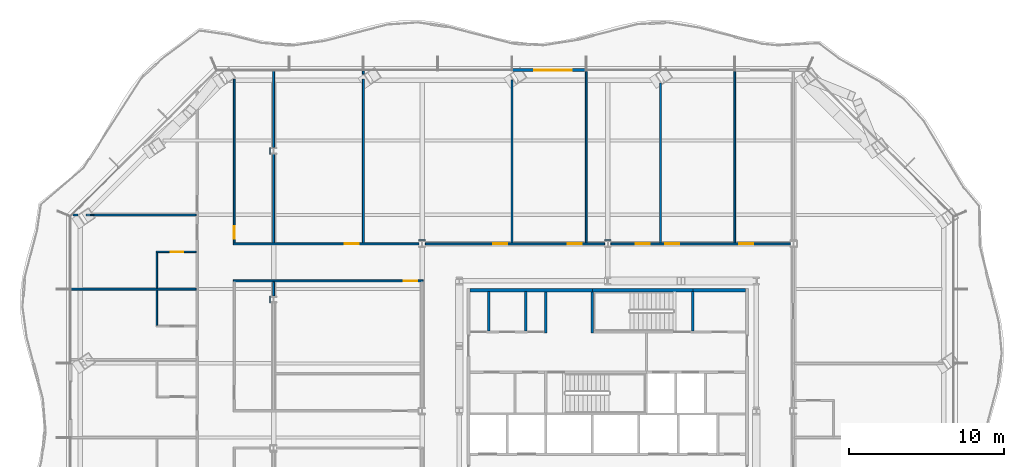
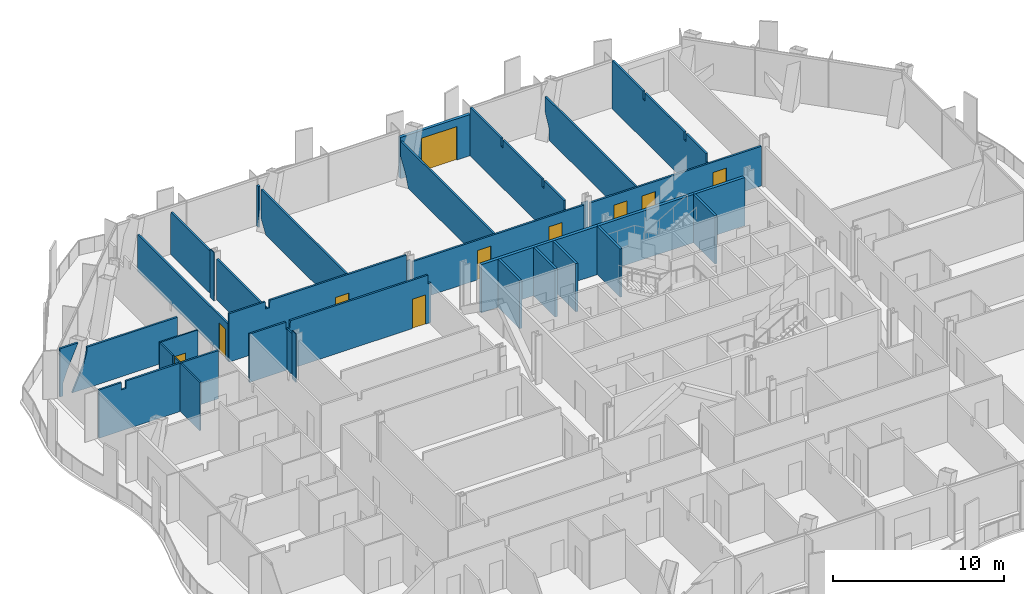
# One storey, part 11 of 17: 33 walls, 10 doors, 10 openings.
"""IFC4 building model written with IfcOpenShell, lengths in metres."""

from ifc_helpers import new_model, si_unit, direction, frame, frame_2d, origin, place, context, subcontext, project, spatial, polyline, rectangle, outline, extrude, material, layer, layer_set, type_object, element, fill, save


model = new_model("IFC4")

# Units and contexts
model_context = context("Model", 3, precision=1e-05, world=origin(), true_north=direction((0.0, 1.0)))
body_context = subcontext(model_context, "Body", "Model", "MODEL_VIEW")
ifc_project = project(units=[si_unit("LENGTHUNIT", "METRE"), si_unit("AREAUNIT", "SQUARE_METRE"), si_unit("VOLUMEUNIT", "CUBIC_METRE"), si_unit("PLANEANGLEUNIT", "RADIAN"), si_unit("MASSUNIT", "GRAM", prefix="KILO")], contexts=[model_context])

# Site, building, storey
site_placement = place(None, origin())
site = spatial("IfcSite", under=ifc_project, at=site_placement, CompositionType="ELEMENT")
building_placement = place(site_placement, origin())
building = spatial("IfcBuilding", under=site, at=building_placement, Name="Cairn Pilgrim Tower", CompositionType="ELEMENT")
storey_placement = place(building_placement, frame((0.0, 0.0, 94.199951171875)))
storey = spatial("IfcBuildingStorey", under=building, at=storey_placement, Name="L22", CompositionType="ELEMENT", Elevation=94.199951171875)

# Wall, opening, door
ifc_material_1 = material(Name="Bronze anodised aluminium insulated sandwich panel with mineral wool fill", Category="aluminium")
ifc_layer_1 = layer(ifc_material_1, 0.199951171875)
ifc_layer_set_1 = layer_set([ifc_layer_1], Name="BRONZE INFILL FRAME WALL 200")
wall_type_1 = type_object("IfcWallType", Name="BRONZE INFILL FRAME WALL 200", PredefinedType="NOTDEFINED", material=ifc_layer_set_1)
wall_1_placement = place(storey_placement, frame((5.7783203125, 24.42236328125, 0.0), z_axis=(0.0, 0.0, 1.0), x_axis=(-1.0, 0.0, 0.0)))
wall_1 = element("IfcWall", 1, at=wall_1_placement, inside=storey, type_object=wall_type_1, Name="Bronze infill frame wall IW-N4", PredefinedType="NOTDEFINED", context=body_context, shape_type="SweptSolid", body=[
    extrude(rectangle(XDim=4.739990234375, YDim=0.199951171875, at=frame_2d((2.3701171875, 0.0))), origin(), (0.0, 0.0, 1.0), 2.949951171875),
])
opening_1_placement = place(wall_1_placement, frame((0.92041015625, 0.0, 0.0)))
opening_1 = element("IfcOpeningElement", 2, at=opening_1_placement, cuts=wall_1, Name="Opening 2220B", PredefinedType="OPENING", context=body_context, shape_type="SweptSolid", body=[
    extrude(rectangle(XDim=2.39990234375, YDim=2.39990234375, at=frame_2d((1.199951171875, 1.199951171875))), frame((0.0, 0.10986328125, 0.0), z_axis=(0.0, -1.0, 0.0), x_axis=(1.0, 0.0, 0.0)), (0.0, 0.0, 1.0), 0.219970703125),
])
ifc_material_2 = material(Name="Bronze anodised aluminium frame with tinted low-E glass", Category="aluminium")
door_type_1 = type_object("IfcDoorType", Name="BALCONY SLIDING DOOR 2400x2400", OperationType="DOUBLE_DOOR_SLIDING", PredefinedType="DOOR", material=ifc_material_2)
door_1_placement = place(opening_1_placement, origin())
door_1 = element("IfcDoor", 3, at=door_1_placement, inside=storey, type_object=door_type_1, Name="Balcony sliding door 2220B", OperationType="SINGLE_SWING_LEFT", OverallHeight=2.39990234375, OverallWidth=2.39990234375, PredefinedType="DOOR", context=body_context, shape_type="SweptSolid", body=[
    extrude(rectangle(XDim=2.39990234375, YDim=2.39990234375, at=frame_2d((1.199951171875, 1.199951171875))), frame((0.0, 0.02490234375, 0.0), z_axis=(0.0, -1.0, 0.0), x_axis=(1.0, 0.0, 0.0)), (0.0, 0.0, 1.0), 0.050048828125),
])
fill(opening_1, door_1)

# Walls
ifc_material_3 = material(Name="Concrete C32/40", Category="concrete")
ifc_layer_2 = layer(ifc_material_3, 0.199951171875)
ifc_layer_set_2 = layer_set([ifc_layer_2], Name="CORE OUTER WALL 200 EI 120")
wall_type_2 = type_object("IfcWallType", Name="CORE OUTER WALL 200 EI 120", PredefinedType="SOLIDWALL", material=ifc_layer_set_2)
wall_2_placement = place(storey_placement, frame((-1.699951171875, 10.199951171875, 0.0), z_axis=(0.0, 0.0, 1.0), x_axis=(1.0, 0.0, 0.0)))
element("IfcWall", 4, at=wall_2_placement, inside=storey, type_object=wall_type_2, Name="CW:L22:H11-1", PredefinedType="SOLIDWALL", context=body_context, shape_type="SweptSolid", body=[
    extrude(rectangle(XDim=7.89990234375, YDim=0.199951171875, at=frame_2d((3.949951171875, 0.0))), origin(), (0.0, 0.0, 1.0), 3.449951171875),
])
wall_3_placement = place(storey_placement, frame((12.699951171875, 10.199951171875, 0.0), z_axis=(0.0, 0.0, 1.0), x_axis=(1.0, 0.0, 0.0)))
element("IfcWall", 5, at=wall_3_placement, inside=storey, type_object=wall_type_2, Name="CW:L22:H11-3", PredefinedType="SOLIDWALL", context=body_context, shape_type="SweptSolid", body=[
    extrude(rectangle(XDim=3.400146484375, YDim=0.199951171875, at=frame_2d((1.7001953125, 0.0))), origin(), (0.0, 0.0, 1.0), 3.449951171875),
])
ifc_layer_3 = layer(ifc_material_3, 0.14990234375)
ifc_layer_set_3 = layer_set([ifc_layer_3], Name="CORE PARTITION 150 EI 60")
wall_type_3 = type_object("IfcWallType", Name="CORE PARTITION 150 EI 60", PredefinedType="PARTITIONING", material=ifc_layer_set_3)
for number, where, z_axis, x_axis, name in (
    (6, (-0.5, 7.574951171875, 0.0), (0.0, 0.0, 1.0), (0.0, 1.0, 0.0), "CW:L22:V13"),
    (7, (1.89990234375, 7.574951171875, 0.0), (0.0, 0.0, 1.0), (0.0, 1.0, 0.0), "CW:L22:V17"),
):
    element("IfcWall", number, at=place(storey_placement, frame(where, z_axis=z_axis, x_axis=x_axis)), inside=storey, type_object=wall_type_3, Name=name, PredefinedType="PARTITIONING", context=body_context, shape_type="SweptSolid", body=[
        extrude(rectangle(XDim=2.525146484375, YDim=0.14990234375, at=frame_2d((1.2626953125, 0.0))), origin(), (0.0, 0.0, 1.0), 3.449951171875),
    ])
wall_4_placement = place(storey_placement, frame((3.199951171875, 7.425048828125, 0.0), z_axis=(0.0, 0.0, 1.0), x_axis=(0.0, 1.0, 0.0)))
element("IfcWall", 8, at=wall_4_placement, inside=storey, type_object=wall_type_3, Name="CW:L22:V21", PredefinedType="PARTITIONING", context=body_context, shape_type="SweptSolid", body=[
    extrude(rectangle(XDim=2.675048828125, YDim=0.14990234375, at=frame_2d((1.33740234375, 0.0))), origin(), (0.0, 0.0, 1.0), 3.449951171875),
])
ifc_material_4 = material(Name="Gypsum partition")
ifc_layer_4 = layer(ifc_material_4, 0.10009765625)
ifc_layer_set_4 = layer_set([ifc_layer_4], Name="PARTITION 100 DRYWALL")
wall_type_4 = type_object("IfcWallType", Name="PARTITION 100 DRYWALL", PredefinedType="PARTITIONING", material=ifc_layer_set_4)
wall_5_placement = place(storey_placement, frame((-21.94189453125, 7.922119140625, 0.0), z_axis=(0.0, 0.0, 1.0), x_axis=(0.0, 1.0, 0.0)))
element("IfcWall", 9, at=wall_5_placement, inside=storey, type_object=wall_type_4, Name="PARTITION W077", PredefinedType="PARTITIONING", context=body_context, shape_type="SweptSolid", body=[
    extrude(rectangle(XDim=2.287353515625, YDim=0.10009765625, at=frame_2d((1.1435546875, 0.0))), origin(), (0.0, 0.0, 1.0), 3.449951171875),
])
wall_6_placement = place(storey_placement, frame((-21.94189453125, 10.33447265625, 0.0), z_axis=(0.0, 0.0, 1.0), x_axis=(0.0, 1.0, 0.0)))
element("IfcWall", 10, at=wall_6_placement, inside=storey, type_object=wall_type_4, Name="PARTITION W080", PredefinedType="PARTITIONING", context=body_context, shape_type="SweptSolid", body=[
    extrude(outline(polyline([(0.0, 0.0), (2.28759765625, 0.0), (2.28759765625, 3.449951171875), (0.761962890625, 3.449951171875), (0.760009765625, 2.880126953125), (0.552001953125, 2.880126953125), (0.5498046875, 3.449951171875), (0.0, 3.449951171875), (0.0, 0.0)])), frame((0.0, 0.050048828125, 0.0), z_axis=(0.0, -1.0, 0.0), x_axis=(1.0, 0.0, 0.0)), (0.0, 0.0, 1.0), 0.10009765625),
])

# Wall, opening, door
wall_7_placement = place(storey_placement, frame((-21.991943359375, 12.672119140625, 0.0), z_axis=(0.0, 0.0, 1.0), x_axis=(1.0, 0.0, 0.0)))
wall_7 = element("IfcWall", 11, at=wall_7_placement, inside=storey, type_object=wall_type_4, Name="PARTITION W082", PredefinedType="PARTITIONING", context=body_context, shape_type="SweptSolid", body=[
    extrude(rectangle(XDim=2.58740234375, YDim=0.10009765625, at=frame_2d((1.293701171875, 0.0))), origin(), (0.0, 0.0, 1.0), 3.449951171875),
])
opening_2_placement = place(wall_7_placement, frame((0.949951171875, 0.0, 0.0)))
opening_2 = element("IfcOpeningElement", 12, at=opening_2_placement, cuts=wall_7, Name="Opening 2215E", PredefinedType="OPENING", context=body_context, shape_type="SweptSolid", body=[
    extrude(rectangle(XDim=0.800048828125, YDim=2.10009765625, at=frame_2d((0.39990234375, 1.050048828125))), frame((0.0, 0.06005859375, 0.0), z_axis=(0.0, -1.0, 0.0), x_axis=(1.0, 0.0, 0.0)), (0.0, 0.0, 1.0), 0.1201171875),
])
ifc_material_5 = material(Name="Timber door leaf", Category="wood")
door_type_2 = type_object("IfcDoorType", Name="DOOR 800x2100", OperationType="NOTDEFINED", PredefinedType="DOOR", material=ifc_material_5)
door_2_placement = place(opening_2_placement, frame((0.800048828125, 0.0, 0.0), z_axis=(0.0, 0.0, 1.0), x_axis=(-1.0, 0.0, 0.0)))
door_2 = element("IfcDoor", 13, at=door_2_placement, inside=storey, type_object=door_type_2, Name="DOOR 2215E", OperationType="SINGLE_SWING_LEFT", OverallHeight=2.10009765625, OverallWidth=0.800048828125, PredefinedType="DOOR", context=body_context, shape_type="SweptSolid", body=[
    extrude(rectangle(XDim=0.800048828125, YDim=2.10009765625, at=frame_2d((0.39990234375, 1.050048828125))), frame((0.0, 0.02490234375, 0.0), z_axis=(0.0, -1.0, 0.0), x_axis=(1.0, 0.0, 0.0)), (0.0, 0.0, 1.0), 0.050048828125),
])
fill(opening_2, door_2)

# Walls
ifc_layer_5 = layer(ifc_material_4, 0.125)
ifc_layer_set_5 = layer_set([ifc_layer_5], Name="PARTITION 125 DRYWALL EI 60")
wall_type_5 = type_object("IfcWallType", Name="PARTITION 125 DRYWALL EI 60", PredefinedType="PARTITIONING", material=ifc_layer_set_5)
wall_8_placement = place(storey_placement, frame((-14.39990234375, 9.8125, 0.0), z_axis=(0.0, 0.0, 1.0), x_axis=(0.0, 1.0, 0.0)))
element("IfcWall", 14, at=wall_8_placement, inside=storey, type_object=wall_type_5, Name="PARTITION W078", PredefinedType="PARTITIONING", context=body_context, shape_type="SweptSolid", body=[
    extrude(rectangle(XDim=0.925048828125, YDim=0.125, at=frame_2d((0.46240234375, 0.0))), origin(), (0.0, 0.0, 1.0), 2.929931640625),
])
wall_9_placement = place(storey_placement, frame((-27.481689453125, 10.27197265625, 0.0), z_axis=(0.0, 0.0, 1.0), x_axis=(1.0, 0.0, 0.0)))
element("IfcWall", 15, at=wall_9_placement, inside=storey, type_object=wall_type_5, Name="PARTITION W079", PredefinedType="PARTITIONING", context=body_context, shape_type="SweptSolid", body=[
    extrude(outline(polyline([(0.0, 0.0), (8.0771484375, 0.0), (8.0771484375, 3.449951171875), (1.818603515625, 3.449951171875), (1.816650390625, 2.929931640625), (1.518798828125, 2.929931640625), (1.5166015625, 3.449951171875), (0.0, 3.449951171875), (0.0, 0.0)])), frame((0.0, 0.0625, 0.0), z_axis=(0.0, -1.0, 0.0), x_axis=(1.0, 0.0, 0.0)), (0.0, 0.0, 1.0), 0.125),
])

# Wall, opening, door
wall_10_placement = place(storey_placement, frame((-17.00439453125, 10.800048828125, 0.0), z_axis=(0.0, 0.0, 1.0), x_axis=(1.0, 0.0, 0.0)))
wall_10 = element("IfcWall", 16, at=wall_10_placement, inside=storey, type_object=wall_type_5, Name="PARTITION W081", PredefinedType="PARTITIONING", context=body_context, shape_type="SweptSolid", body=[
    extrude(outline(polyline([(0.0, 0.0), (12.266845703125, 0.0), (12.26708984375, 2.830078125), (12.054443359375, 2.830078125), (12.052490234375, 3.449951171875), (2.75439453125, 3.449951171875), (2.75244140625, 2.929931640625), (2.45458984375, 2.929931640625), (2.452392578125, 3.449951171875), (0.0, 3.449951171875), (0.0, 0.0)])), frame((0.0, 0.0625, 0.0), z_axis=(0.0, -1.0, 0.0), x_axis=(1.0, 0.0, 0.0)), (0.0, 0.0, 1.0), 0.125),
])
opening_3_placement = place(wall_10_placement, frame((11.00439453125, 0.0, 0.0)))
opening_3 = element("IfcOpeningElement", 17, at=opening_3_placement, cuts=wall_10, Name="Opening 2233", PredefinedType="OPENING", context=body_context, shape_type="SweptSolid", body=[
    extrude(rectangle(XDim=0.89990234375, YDim=2.10009765625, at=frame_2d((0.449951171875, 1.050048828125))), frame((0.0, 0.072509765625, 0.0), z_axis=(0.0, -1.0, 0.0), x_axis=(1.0, 0.0, 0.0)), (0.0, 0.0, 1.0), 0.14501953125),
])
ifc_material_6 = material(Name="Steel-faced fire door leaf", Category="steel")
door_type_3 = type_object("IfcDoorType", Name="FIRE DOOR 900x2100 FD30S", OperationType="NOTDEFINED", PredefinedType="DOOR", material=ifc_material_6)
door_3_placement = place(opening_3_placement, frame((0.89990234375, 0.0, 0.0), z_axis=(0.0, 0.0, 1.0), x_axis=(-1.0, 0.0, 0.0)))
door_3 = element("IfcDoor", 18, at=door_3_placement, inside=storey, type_object=door_type_3, Name="DOOR 2233", OperationType="SINGLE_SWING_RIGHT", OverallHeight=2.10009765625, OverallWidth=0.89990234375, PredefinedType="DOOR", context=body_context, shape_type="SweptSolid", body=[
    extrude(rectangle(XDim=0.89990234375, YDim=2.10009765625, at=frame_2d((0.449951171875, 1.050048828125))), frame((0.0, 0.02490234375, 0.0), z_axis=(0.0, -1.0, 0.0), x_axis=(1.0, 0.0, 0.0)), (0.0, 0.0, 1.0), 0.050048828125),
])
fill(opening_3, door_3)

wall_11_placement = place(storey_placement, frame((-17.00439453125, 13.199951171875, 0.0), z_axis=(0.0, 0.0, 1.0), x_axis=(1.0, 0.0, 0.0)))
wall_11 = element("IfcWall", 19, at=wall_11_placement, inside=storey, type_object=wall_type_5, Name="PARTITION W083", PredefinedType="PARTITIONING", context=body_context, shape_type="SweptSolid", body=[
    extrude(outline(polyline([(0.0, 0.0), (12.0, 0.0), (12.0, 3.449951171875), (2.75439453125, 3.449951171875), (2.75244140625, 2.929931640625), (2.45458984375, 2.929931640625), (2.452392578125, 3.449951171875), (0.0, 3.449951171875), (0.0, 0.0)])), frame((0.0, 0.0625, 0.0), z_axis=(0.0, -1.0, 0.0), x_axis=(1.0, 0.0, 0.0)), (0.0, 0.0, 1.0), 0.125),
])
opening_4_placement = place(wall_11_placement, frame((7.20458984375, 0.0, 0.0)))
opening_4 = element("IfcOpeningElement", 20, at=opening_4_placement, cuts=wall_11, Name="Opening 2218", PredefinedType="OPENING", context=body_context, shape_type="SweptSolid", body=[
    extrude(rectangle(XDim=0.89990234375, YDim=2.10009765625, at=frame_2d((0.449951171875, 1.050048828125))), frame((0.0, 0.072509765625, 0.0), z_axis=(0.0, -1.0, 0.0), x_axis=(1.0, 0.0, 0.0)), (0.0, 0.0, 1.0), 0.14501953125),
])
door_4_placement = place(opening_4_placement, origin())
door_4 = element("IfcDoor", 21, at=door_4_placement, inside=storey, type_object=door_type_3, Name="DOOR 2218", OperationType="SINGLE_SWING_RIGHT", OverallHeight=2.10009765625, OverallWidth=0.89990234375, PredefinedType="DOOR", context=body_context, shape_type="SweptSolid", body=[
    extrude(rectangle(XDim=0.89990234375, YDim=2.10009765625, at=frame_2d((0.449951171875, 1.050048828125))), frame((0.0, 0.02490234375, 0.0), z_axis=(0.0, -1.0, 0.0), x_axis=(1.0, 0.0, 0.0)), (0.0, 0.0, 1.0), 0.050048828125),
])
fill(opening_4, door_4)

# Wall, openings, doors
wall_12_placement = place(storey_placement, frame((-4.595458984375, 13.199951171875, 0.0), z_axis=(0.0, 0.0, 1.0), x_axis=(1.0, 0.0, 0.0)))
wall_12 = element("IfcWall", 22, at=wall_12_placement, inside=storey, type_object=wall_type_5, Name="PARTITION W084", PredefinedType="PARTITIONING", context=body_context, shape_type="SweptSolid", body=[
    extrude(rectangle(XDim=11.591064453125, YDim=0.125, at=frame_2d((5.79541015625, 0.0))), origin(), (0.0, 0.0, 1.0), 2.830078125),
])
opening_5_placement = place(wall_12_placement, frame((4.3955078125, 0.0, 0.0)))
opening_5 = element("IfcOpeningElement", 23, at=opening_5_placement, cuts=wall_12, Name="Opening 2219", PredefinedType="OPENING", context=body_context, shape_type="SweptSolid", body=[
    extrude(rectangle(XDim=0.89990234375, YDim=2.10009765625, at=frame_2d((0.449951171875, 1.050048828125))), frame((0.0, 0.072509765625, 0.0), z_axis=(0.0, -1.0, 0.0), x_axis=(1.0, 0.0, 0.0)), (0.0, 0.0, 1.0), 0.14501953125),
])
opening_6_placement = place(wall_12_placement, frame((9.20361328125, 0.0, 0.0)))
opening_6 = element("IfcOpeningElement", 24, at=opening_6_placement, cuts=wall_12, Name="Opening 2220", PredefinedType="OPENING", context=body_context, shape_type="SweptSolid", body=[
    extrude(rectangle(XDim=0.89990234375, YDim=2.10009765625, at=frame_2d((0.449951171875, 1.050048828125))), frame((0.0, 0.072509765625, 0.0), z_axis=(0.0, -1.0, 0.0), x_axis=(1.0, 0.0, 0.0)), (0.0, 0.0, 1.0), 0.14501953125),
])
door_5_placement = place(opening_5_placement, origin())
door_5 = element("IfcDoor", 25, at=door_5_placement, inside=storey, type_object=door_type_3, Name="DOOR 2219", OperationType="SINGLE_SWING_LEFT", OverallHeight=2.10009765625, OverallWidth=0.89990234375, PredefinedType="DOOR", context=body_context, shape_type="SweptSolid", body=[
    extrude(rectangle(XDim=0.89990234375, YDim=2.10009765625, at=frame_2d((0.449951171875, 1.050048828125))), frame((0.0, 0.02490234375, 0.0), z_axis=(0.0, -1.0, 0.0), x_axis=(1.0, 0.0, 0.0)), (0.0, 0.0, 1.0), 0.050048828125),
])
fill(opening_5, door_5)
door_6_placement = place(opening_6_placement, origin())
door_6 = element("IfcDoor", 26, at=door_6_placement, inside=storey, type_object=door_type_3, Name="DOOR 2220", OperationType="SINGLE_SWING_RIGHT", OverallHeight=2.10009765625, OverallWidth=0.89990234375, PredefinedType="DOOR", context=body_context, shape_type="SweptSolid", body=[
    extrude(rectangle(XDim=0.89990234375, YDim=2.10009765625, at=frame_2d((0.449951171875, 1.050048828125))), frame((0.0, 0.02490234375, 0.0), z_axis=(0.0, -1.0, 0.0), x_axis=(1.0, 0.0, 0.0)), (0.0, 0.0, 1.0), 0.050048828125),
])
fill(opening_6, door_6)

wall_13_placement = place(storey_placement, frame((7.404541015625, 13.199951171875, 0.0), z_axis=(0.0, 0.0, 1.0), x_axis=(1.0, 0.0, 0.0)))
wall_13 = element("IfcWall", 27, at=wall_13_placement, inside=storey, type_object=wall_type_5, Name="PARTITION W085", PredefinedType="PARTITIONING", context=body_context, shape_type="SweptSolid", body=[
    extrude(rectangle(XDim=11.591064453125, YDim=0.125, at=frame_2d((5.79541015625, 0.0))), origin(), (0.0, 0.0, 1.0), 2.830078125),
])
opening_7_placement = place(wall_13_placement, frame((1.603515625, 0.0, 0.0)))
opening_7 = element("IfcOpeningElement", 28, at=opening_7_placement, cuts=wall_13, Name="Opening 2221", PredefinedType="OPENING", context=body_context, shape_type="SweptSolid", body=[
    extrude(rectangle(XDim=0.89990234375, YDim=2.10009765625, at=frame_2d((0.449951171875, 1.050048828125))), frame((0.0, 0.072509765625, 0.0), z_axis=(0.0, -1.0, 0.0), x_axis=(1.0, 0.0, 0.0)), (0.0, 0.0, 1.0), 0.14501953125),
])
opening_8_placement = place(wall_13_placement, frame((3.50341796875, 0.0, 0.0)))
opening_8 = element("IfcOpeningElement", 29, at=opening_8_placement, cuts=wall_13, Name="Opening 2222", PredefinedType="OPENING", context=body_context, shape_type="SweptSolid", body=[
    extrude(rectangle(XDim=0.89990234375, YDim=2.10009765625, at=frame_2d((0.449951171875, 1.050048828125))), frame((0.0, 0.072509765625, 0.0), z_axis=(0.0, -1.0, 0.0), x_axis=(1.0, 0.0, 0.0)), (0.0, 0.0, 1.0), 0.14501953125),
])
opening_9_placement = place(wall_13_placement, frame((8.303466796875, 0.0, 0.0)))
opening_9 = element("IfcOpeningElement", 30, at=opening_9_placement, cuts=wall_13, Name="Opening 2223", PredefinedType="OPENING", context=body_context, shape_type="SweptSolid", body=[
    extrude(rectangle(XDim=0.89990234375, YDim=2.10009765625, at=frame_2d((0.449951171875, 1.050048828125))), frame((0.0, 0.072509765625, 0.0), z_axis=(0.0, -1.0, 0.0), x_axis=(1.0, 0.0, 0.0)), (0.0, 0.0, 1.0), 0.14501953125),
])
door_7_placement = place(opening_7_placement, origin())
door_7 = element("IfcDoor", 31, at=door_7_placement, inside=storey, type_object=door_type_3, Name="DOOR 2221", OperationType="SINGLE_SWING_LEFT", OverallHeight=2.10009765625, OverallWidth=0.89990234375, PredefinedType="DOOR", context=body_context, shape_type="SweptSolid", body=[
    extrude(rectangle(XDim=0.89990234375, YDim=2.10009765625, at=frame_2d((0.449951171875, 1.050048828125))), frame((0.0, 0.02490234375, 0.0), z_axis=(0.0, -1.0, 0.0), x_axis=(1.0, 0.0, 0.0)), (0.0, 0.0, 1.0), 0.050048828125),
])
fill(opening_7, door_7)
door_8_placement = place(opening_8_placement, origin())
door_8 = element("IfcDoor", 32, at=door_8_placement, inside=storey, type_object=door_type_3, Name="DOOR 2222", OperationType="SINGLE_SWING_RIGHT", OverallHeight=2.10009765625, OverallWidth=0.89990234375, PredefinedType="DOOR", context=body_context, shape_type="SweptSolid", body=[
    extrude(rectangle(XDim=0.89990234375, YDim=2.10009765625, at=frame_2d((0.449951171875, 1.050048828125))), frame((0.0, 0.02490234375, 0.0), z_axis=(0.0, -1.0, 0.0), x_axis=(1.0, 0.0, 0.0)), (0.0, 0.0, 1.0), 0.050048828125),
])
fill(opening_8, door_8)
door_9_placement = place(opening_9_placement, origin())
door_9 = element("IfcDoor", 33, at=door_9_placement, inside=storey, type_object=door_type_3, Name="DOOR 2223", OperationType="SINGLE_SWING_LEFT", OverallHeight=2.10009765625, OverallWidth=0.89990234375, PredefinedType="DOOR", context=body_context, shape_type="SweptSolid", body=[
    extrude(rectangle(XDim=0.89990234375, YDim=2.10009765625, at=frame_2d((0.449951171875, 1.050048828125))), frame((0.0, 0.02490234375, 0.0), z_axis=(0.0, -1.0, 0.0), x_axis=(1.0, 0.0, 0.0)), (0.0, 0.0, 1.0), 0.050048828125),
])
fill(opening_9, door_9)

# Wall, opening, door
wall_14_placement = place(storey_placement, frame((-16.94189453125, 13.262451171875, 0.0), z_axis=(0.0, 0.0, 1.0), x_axis=(0.0, 1.0, 0.0)))
wall_14 = element("IfcWall", 34, at=wall_14_placement, inside=storey, type_object=wall_type_5, Name="PARTITION W086", PredefinedType="PARTITIONING", context=body_context, shape_type="SweptSolid", body=[
    extrude(outline(polyline([(0.0, 0.0), (10.572021484375, 0.0), (10.572021484375, 0.862548828125), (10.572021484375, 1.72509765625), (10.572021484375, 2.587646484375), (10.576904296875, 2.630126953125), (0.0, 2.630126953125), (0.0, 2.587646484375), (0.0, 1.72509765625), (0.0, 0.862548828125), (0.0, 0.0)])), frame((0.0, 0.0625, 0.0), z_axis=(0.0, -1.0, 0.0), x_axis=(1.0, 0.0, 0.0)), (0.0, 0.0, 1.0), 0.125),
])
opening_10_placement = place(wall_14_placement, frame((0.259521484375, 0.0, 0.0)))
opening_10 = element("IfcOpeningElement", 35, at=opening_10_placement, cuts=wall_14, Name="Opening 2217", PredefinedType="OPENING", context=body_context, shape_type="SweptSolid", body=[
    extrude(rectangle(XDim=0.800048828125, YDim=2.10009765625, at=frame_2d((0.39990234375, 1.050048828125))), frame((0.0, 0.072509765625, 0.0), z_axis=(0.0, -1.0, 0.0), x_axis=(1.0, 0.0, 0.0)), (0.0, 0.0, 1.0), 0.14501953125),
])
door_type_4 = type_object("IfcDoorType", Name="FIRE DOOR 800x2100 FD30S", OperationType="NOTDEFINED", PredefinedType="DOOR", material=ifc_material_6)
door_10_placement = place(opening_10_placement, frame((0.800048828125, 0.0, 0.0), z_axis=(0.0, 0.0, 1.0), x_axis=(-1.0, 0.0, 0.0)))
door_10 = element("IfcDoor", 36, at=door_10_placement, inside=storey, type_object=door_type_4, Name="DOOR 2217", OperationType="SINGLE_SWING_LEFT", OverallHeight=2.10009765625, OverallWidth=0.800048828125, PredefinedType="DOOR", context=body_context, shape_type="SweptSolid", body=[
    extrude(rectangle(XDim=0.800048828125, YDim=2.10009765625, at=frame_2d((0.39990234375, 1.050048828125))), frame((0.0, 0.02490234375, 0.0), z_axis=(0.0, -1.0, 0.0), x_axis=(1.0, 0.0, 0.0)), (0.0, 0.0, 1.0), 0.050048828125),
])
fill(opening_10, door_10)

# Walls
wall_15_placement = place(storey_placement, frame((-14.39990234375, 13.262451171875, 0.0), z_axis=(0.0, 0.0, 1.0), x_axis=(0.0, 1.0, 0.0)))
element("IfcWall", 37, at=wall_15_placement, inside=storey, type_object=wall_type_5, Name="PARTITION W087", PredefinedType="PARTITIONING", context=body_context, shape_type="SweptSolid", body=[
    extrude(rectangle(XDim=5.72509765625, YDim=0.125, at=frame_2d((2.862548828125, 0.0))), origin(), (0.0, 0.0, 1.0), 2.929931640625),
])
wall_16_placement = place(storey_placement, frame((-8.592041015625, 13.262451171875, 0.0), z_axis=(0.0, 0.0, 1.0), x_axis=(0.0, 1.0, 0.0)))
element("IfcWall", 38, at=wall_16_placement, inside=storey, type_object=wall_type_5, Name="PARTITION W088", PredefinedType="PARTITIONING", context=body_context, shape_type="SweptSolid", body=[
    extrude(outline(polyline([(0.0, 0.0), (10.027099609375, 0.0), (10.587158203125, 0.862548828125), (10.587158203125, 1.72509765625), (10.587158203125, 2.587646484375), (10.587158203125, 2.929931640625), (0.0, 2.929931640625), (0.0, 2.587646484375), (0.0, 1.72509765625), (0.0, 0.862548828125), (0.0, 0.0)])), frame((0.0, 0.0625, 0.0), z_axis=(0.0, -1.0, 0.0), x_axis=(1.0, 0.0, 0.0)), (0.0, 0.0, 1.0), 0.125),
])
wall_17_placement = place(storey_placement, frame((1.008056640625, 13.262451171875, 0.0), z_axis=(0.0, 0.0, 1.0), x_axis=(0.0, 1.0, 0.0)))
element("IfcWall", 39, at=wall_17_placement, inside=storey, type_object=wall_type_5, Name="PARTITION W089", PredefinedType="PARTITIONING", context=body_context, shape_type="SweptSolid", body=[
    extrude(outline(polyline([(0.0, 0.0), (9.9873046875, 0.0), (10.3076171875, 0.862548828125), (10.867431640625, 1.72509765625), (10.867431640625, 2.587646484375), (10.867431640625, 2.830078125), (0.0, 2.830078125), (0.0, 2.587646484375), (0.0, 1.72509765625), (0.0, 0.862548828125), (0.0, 0.0)])), frame((0.0, 0.0625, 0.0), z_axis=(0.0, -1.0, 0.0), x_axis=(1.0, 0.0, 0.0)), (0.0, 0.0, 1.0), 0.125),
])
wall_18_placement = place(storey_placement, frame((5.80810546875, 13.262451171875, 0.0), z_axis=(0.0, 0.0, 1.0), x_axis=(0.0, 1.0, 0.0)))
element("IfcWall", 40, at=wall_18_placement, inside=storey, type_object=wall_type_5, Name="PARTITION W090", PredefinedType="PARTITIONING", context=body_context, shape_type="SweptSolid", body=[
    extrude(outline(polyline([(0.0, 0.0), (11.059814453125, 0.0), (11.059814453125, 3.449951171875), (7.433837890625, 3.449951171875), (7.431884765625, 2.880126953125), (7.223876953125, 2.880126953125), (7.221923828125, 3.449951171875), (2.6337890625, 3.449951171875), (2.6318359375, 2.880126953125), (2.423828125, 2.880126953125), (2.421875, 3.449951171875), (0.08740234375, 3.449951171875), (0.08544921875, 2.830078125), (0.0, 2.830078125), (0.0, 0.0)])), frame((0.0, 0.0625, 0.0), z_axis=(0.0, -1.0, 0.0), x_axis=(1.0, 0.0, 0.0)), (0.0, 0.0, 1.0), 0.125),
])
wall_19_placement = place(storey_placement, frame((10.60791015625, 13.262451171875, 0.0), z_axis=(0.0, 0.0, 1.0), x_axis=(0.0, 1.0, 0.0)))
element("IfcWall", 41, at=wall_19_placement, inside=storey, type_object=wall_type_5, Name="PARTITION W091", PredefinedType="PARTITIONING", context=body_context, shape_type="SweptSolid", body=[
    extrude(outline(polyline([(0.0, 0.0), (10.111328125, 0.0), (10.143310546875, 0.862548828125), (10.587890625, 1.72509765625), (10.587890625, 2.587646484375), (10.587890625, 2.830078125), (0.0, 2.830078125), (0.0, 2.587646484375), (0.0, 1.72509765625), (0.0, 0.862548828125), (0.0, 0.0)])), frame((0.0, 0.0625, 0.0), z_axis=(0.0, -1.0, 0.0), x_axis=(1.0, 0.0, 0.0)), (0.0, 0.0, 1.0), 0.125),
])
wall_20_placement = place(storey_placement, frame((15.407958984375, 13.262451171875, 0.0), z_axis=(0.0, 0.0, 1.0), x_axis=(0.0, 1.0, 0.0)))
element("IfcWall", 42, at=wall_20_placement, inside=storey, type_object=wall_type_5, Name="PARTITION W092", PredefinedType="PARTITIONING", context=body_context, shape_type="SweptSolid", body=[
    extrude(outline(polyline([(0.0, 0.0), (11.059814453125, 0.0), (11.059814453125, 3.449951171875), (7.433837890625, 3.449951171875), (7.431884765625, 2.880126953125), (7.223876953125, 2.880126953125), (7.221923828125, 3.449951171875), (2.6337890625, 3.449951171875), (2.6318359375, 2.880126953125), (2.423828125, 2.880126953125), (2.421875, 3.449951171875), (0.08740234375, 3.449951171875), (0.08544921875, 2.830078125), (0.0, 2.830078125), (0.0, 0.0)])), frame((0.0, 0.0625, 0.0), z_axis=(0.0, -1.0, 0.0), x_axis=(1.0, 0.0, 0.0)), (0.0, 0.0, 1.0), 0.125),
])
wall_21_placement = place(storey_placement, frame((-27.36181640625, 15.05908203125, 0.0), z_axis=(0.0, 0.0, 1.0), x_axis=(1.0, 0.0, 0.0)))
element("IfcWall", 43, at=wall_21_placement, inside=storey, type_object=wall_type_5, Name="PARTITION W094", PredefinedType="PARTITIONING", context=body_context, shape_type="SweptSolid", body=[
    extrude(outline(polyline([(0.0, 0.0), (0.194580078125, 0.0), (0.197998046875, 0.862548828125), (0.489501953125, 1.72509765625), (0.86279296875, 2.587646484375), (1.236083984375, 3.449951171875), (0.0, 3.449951171875), (0.0, 2.587646484375), (0.0, 1.72509765625), (0.0, 0.862548828125), (0.0, 0.0)])), frame((0.0, 0.0625, 0.0), z_axis=(0.0, -1.0, 0.0), x_axis=(1.0, 0.0, 0.0)), (0.0, 0.0, 1.0), 0.125),
])
wall_22_placement = place(storey_placement, frame((-26.513671875, 15.05908203125, 0.0), z_axis=(0.0, 0.0, 1.0), x_axis=(1.0, 0.0, 0.0)))
element("IfcWall", 44, at=wall_22_placement, inside=storey, type_object=wall_type_5, Name="PARTITION W095", PredefinedType="PARTITIONING", context=body_context, shape_type="SweptSolid", body=[
    extrude(outline(polyline([(0.0, 0.0), (7.109130859375, 0.0), (7.109130859375, 0.862548828125), (7.109130859375, 1.72509765625), (7.109130859375, 2.587646484375), (7.109130859375, 2.929931640625), (0.976318359375, 2.929931640625), (0.976318359375, 2.587646484375), (0.74658203125, 1.72509765625), (0.373291015625, 0.862548828125), (0.0, 0.0)])), frame((0.0, 0.0625, 0.0), z_axis=(0.0, -1.0, 0.0), x_axis=(1.0, 0.0, 0.0)), (0.0, 0.0, 1.0), 0.125),
])
wall_23_placement = place(storey_placement, frame((-14.39990234375, 19.41259765625, 0.0), z_axis=(0.0, 0.0, 1.0), x_axis=(0.0, 1.0, 0.0)))
element("IfcWall", 45, at=wall_23_placement, inside=storey, type_object=wall_type_5, Name="PARTITION W096", PredefinedType="PARTITIONING", context=body_context, shape_type="SweptSolid", body=[
    extrude(outline(polyline([(0.0, 0.0), (4.94970703125, 0.0), (4.94970703125, 2.929931640625), (4.928955078125, 2.929931640625), (4.927001953125, 3.030029296875), (0.0, 3.030029296875), (0.0, 0.0)])), frame((0.0, 0.0625, 0.0), z_axis=(0.0, -1.0, 0.0), x_axis=(1.0, 0.0, 0.0)), (0.0, 0.0, 1.0), 0.125),
])
wall_24_placement = place(storey_placement, frame((-8.592041015625, 24.170166015625, 0.0), z_axis=(0.0, 0.0, 1.0), x_axis=(0.0, 1.0, 0.0)))
element("IfcWall", 46, at=wall_24_placement, inside=storey, type_object=wall_type_5, Name="PARTITION W097", PredefinedType="PARTITIONING", context=body_context, shape_type="SweptSolid", body=[
    extrude(outline(polyline([(0.0, 0.0), (0.192138671875, 0.0), (0.192138671875, 0.862548828125), (0.192138671875, 1.72509765625), (0.192138671875, 2.587646484375), (0.192138671875, 2.929931640625), (0.0, 2.929931640625), (0.0, 2.587646484375), (0.0, 1.72509765625), (0.0, 0.862548828125), (0.0, 0.0)])), frame((0.0, 0.0625, 0.0), z_axis=(0.0, -1.0, 0.0), x_axis=(1.0, 0.0, 0.0)), (0.0, 0.0, 1.0), 0.125),
])
ifc_layer_6 = layer(ifc_material_4, 0.050048828125)
ifc_layer_set_6 = layer_set([ifc_layer_6], Name="PARTITION 50 DRYWALL EI 60")
wall_type_6 = type_object("IfcWallType", Name="PARTITION 50 DRYWALL EI 60", PredefinedType="PARTITIONING", material=ifc_layer_set_6)
wall_25_placement = place(storey_placement, frame((-14.62939453125, 9.387451171875, 0.0), z_axis=(0.0, 0.0, 1.0), x_axis=(0.0, 1.0, 0.0)))
element("IfcWall", 47, at=wall_25_placement, inside=storey, type_object=wall_type_6, Name="COLUMN CASING WC13", PredefinedType="PARTITIONING", context=body_context, shape_type="SweptSolid", body=[
    extrude(rectangle(XDim=0.425048828125, YDim=0.050048828125, at=frame_2d((0.21240234375, 0.0))), origin(), (0.0, 0.0, 1.0), 3.449951171875),
])
for number, where, z_axis, x_axis, name in (
    (48, (-5.00439453125, 13.4375, 0.0), (0.0, 0.0, 1.0), (1.0, 0.0, 0.0), "COLUMN CASING WC15"),
    (49, (6.99560546875, 13.4375, 0.0), (0.0, 0.0, 1.0), (1.0, 0.0, 0.0), "COLUMN CASING WC16"),
):
    element("IfcWall", number, at=place(storey_placement, frame(where, z_axis=z_axis, x_axis=x_axis)), inside=storey, type_object=wall_type_6, Name=name, PredefinedType="PARTITIONING", context=body_context, shape_type="SweptSolid", body=[
        extrude(rectangle(XDim=0.408935546875, YDim=0.050048828125, at=frame_2d((0.20458984375, 0.0))), origin(), (0.0, 0.0, 1.0), 2.830078125),
    ])
wall_26_placement = place(storey_placement, frame((-14.62939453125, 18.987548828125, 0.0), z_axis=(0.0, 0.0, 1.0), x_axis=(0.0, 1.0, 0.0)))
element("IfcWall", 50, at=wall_26_placement, inside=storey, type_object=wall_type_6, Name="COLUMN CASING WC18", PredefinedType="PARTITIONING", context=body_context, shape_type="SweptSolid", body=[
    extrude(rectangle(XDim=0.425048828125, YDim=0.050048828125, at=frame_2d((0.21240234375, 0.0))), origin(), (0.0, 0.0, 1.0), 3.449951171875),
])
ifc_material_7 = material(Name="Concrete C35/45", Category="concrete")
ifc_layer_7 = layer(ifc_material_7, 0.14990234375)
ifc_layer_set_7 = layer_set([ifc_layer_7], Name="STAIR SHAFT WALL 150 EI 120")
wall_type_7 = type_object("IfcWallType", Name="STAIR SHAFT WALL 150 EI 120", PredefinedType="SOLIDWALL", material=ifc_layer_set_7)
wall_27_placement = place(storey_placement, frame((6.199951171875, 7.425048828125, 0.0), z_axis=(0.0, 0.0, 1.0), x_axis=(0.0, 1.0, 0.0)))
element("IfcWall", 51, at=wall_27_placement, inside=storey, type_object=wall_type_7, Name="CW:L22:V24", PredefinedType="SOLIDWALL", context=body_context, shape_type="SweptSolid", body=[
    extrude(rectangle(XDim=2.675048828125, YDim=0.14990234375, at=frame_2d((1.33740234375, 0.0))), origin(), (0.0, 0.0, 1.0), 3.449951171875),
])
wall_28_placement = place(storey_placement, frame((12.699951171875, 7.574951171875, 0.0), z_axis=(0.0, 0.0, 1.0), x_axis=(0.0, 1.0, 0.0)))
element("IfcWall", 52, at=wall_28_placement, inside=storey, type_object=wall_type_7, Name="CW:L22:V31", PredefinedType="SOLIDWALL", context=body_context, shape_type="SweptSolid", body=[
    extrude(rectangle(XDim=2.525146484375, YDim=0.14990234375, at=frame_2d((1.2626953125, 0.0))), origin(), (0.0, 0.0, 1.0), 3.449951171875),
])
ifc_layer_8 = layer(ifc_material_7, 0.199951171875)
ifc_layer_set_8 = layer_set([ifc_layer_8], Name="STAIR SHAFT WALL 200 EI 120")
wall_type_8 = type_object("IfcWallType", Name="STAIR SHAFT WALL 200 EI 120", PredefinedType="SOLIDWALL", material=ifc_layer_set_8)
wall_29_placement = place(storey_placement, frame((6.199951171875, 10.199951171875, 0.0), z_axis=(0.0, 0.0, 1.0), x_axis=(1.0, 0.0, 0.0)))
element("IfcWall", 53, at=wall_29_placement, inside=storey, type_object=wall_type_8, Name="CW:L22:H11-2", PredefinedType="SOLIDWALL", context=body_context, shape_type="SweptSolid", body=[
    extrude(rectangle(XDim=6.5, YDim=0.199951171875, at=frame_2d((3.25, 0.0))), origin(), (0.0, 0.0, 1.0), 3.449951171875),
])

save(model, "model.ifc")
